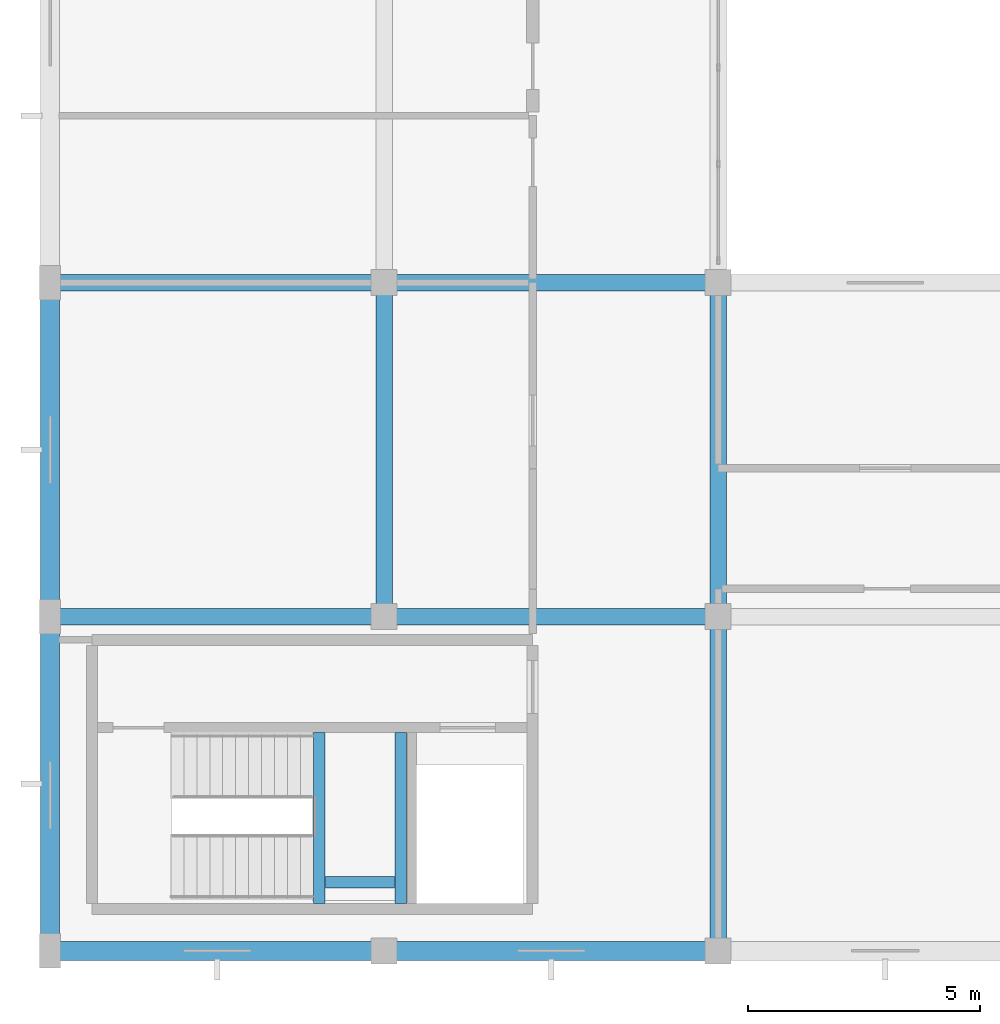
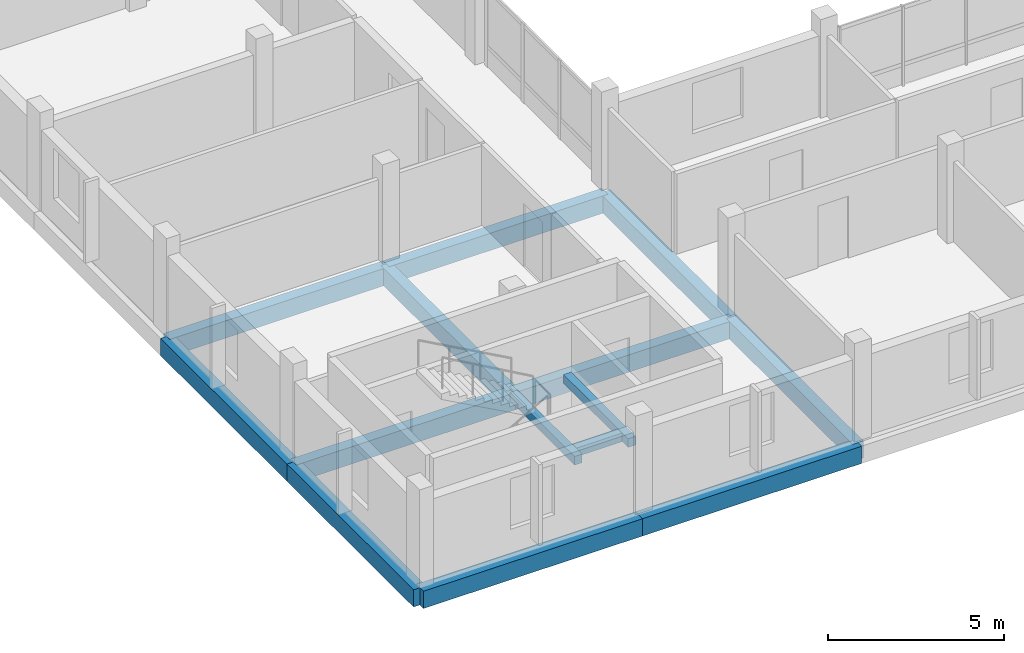
# One storey, part 3 of 66: 14 beams.
"""IFC4 building model written with IfcOpenShell, lengths in metres."""

from ifc_helpers import new_model, si_unit, direction, frame, origin, origin_2d, place, context, subcontext, project, spatial, rectangle, extrude, material, material_profile, profile_set, type_object, element, save


model = new_model("IFC4")

# Units and contexts
model_context = context("Model", 3, precision=1e-05, world=origin(), true_north=direction((0.0, 1.0)))
body_context = subcontext(model_context, "Body", "Model", "MODEL_VIEW")
ifc_project = project(units=[si_unit("LENGTHUNIT", "METRE"), si_unit("AREAUNIT", "SQUARE_METRE"), si_unit("VOLUMEUNIT", "CUBIC_METRE"), si_unit("PLANEANGLEUNIT", "RADIAN"), si_unit("MASSUNIT", "GRAM", prefix="KILO")], contexts=[model_context])

# Site, building, storey
site_placement = place(None, origin())
site = spatial("IfcSite", under=ifc_project, at=site_placement, CompositionType="ELEMENT")
building_placement = place(site_placement, origin())
building = spatial("IfcBuilding", under=site, at=building_placement, Name="Zornivar Specialist Clinic", CompositionType="ELEMENT")
storey_placement = place(building_placement, frame((0.0, 0.0, 16.0)))
storey = spatial("IfcBuildingStorey", under=building, at=storey_placement, Name="L04", CompositionType="ELEMENT", Elevation=16.0)

# Beams
ifc_material_1 = material(Name="Concrete C30/37", Category="concrete")
ifc_material_profile_1 = material_profile(ifc_material_1, rectangle(XDim=0.25, YDim=0.300048828125, at=origin_2d()), Name="RC 250x300")
ifc_profile_set_1 = profile_set([ifc_material_profile_1], Name="Concrete C30/37")
beam_type_1 = type_object("IfcBeamType", Name="BM-LAND-250x300", PredefinedType="BEAM", material=ifc_profile_set_1)
for number, where, z_axis, x_axis, name in (
    (1, (5.800048828125, 1.02001953125, 1.52001953125), (0.0, 1.0, 0.0), (-1.0, 0.0, 0.0), "bm:stair:C1:L04:lW"),
    (2, (7.56005859375, 1.02001953125, 1.52001953125), (0.0, 1.0, 0.0), (-1.0, 0.0, 0.0), "bm:stair:C1:L04:lE"),
):
    element("IfcBeam", number, at=place(storey_placement, frame(where, z_axis=z_axis, x_axis=x_axis)), inside=storey, type_object=beam_type_1, Name=name, PredefinedType="BEAM", context=body_context, shape_type="SweptSolid", body=[
        extrude(rectangle(XDim=0.25, YDim=0.300048828125, at=origin_2d()), origin(), (0.0, 0.0, 1.0), 3.679931640625),
    ])
beam_placement = place(storey_placement, frame((5.93505859375, 1.47998046875, 1.52001953125), z_axis=(1.0, 0.0, 0.0), x_axis=(0.0, 1.0, 0.0)))
element("IfcBeam", 3, at=beam_placement, inside=storey, type_object=beam_type_1, Name="bm:stair:C1:L04:lS", PredefinedType="BEAM", context=body_context, shape_type="SweptSolid", body=[
    extrude(rectangle(XDim=0.25, YDim=0.300048828125, at=origin_2d()), origin(), (0.0, 0.0, 1.0), 1.489990234375),
])
ifc_material_2 = material(Name="Concrete C30/37", Category="concrete")
ifc_material_profile_2 = material_profile(ifc_material_2, rectangle(XDim=0.35009765625, YDim=0.60009765625, at=origin_2d()), Name="RC 350x600")
ifc_profile_set_2 = profile_set([ifc_material_profile_2], Name="Concrete C30/37")
beam_type_2 = type_object("IfcBeamType", Name="BM-RC-350x600", PredefinedType="BEAM", material=ifc_profile_set_2)
for number, where, z_axis, x_axis, name in (
    (4, (0.0, 7.199951171875, -0.580078125), (1.0, 0.0, 0.0), (0.0, 1.0, 0.0), "bm:V2:L04:x:72:0"),
    (5, (7.199951171875, 7.199951171875, -0.580078125), (1.0, 0.0, 0.0), (0.0, 1.0, 0.0), "bm:V2:L04:x:72:1"),
    (6, (0.0, 14.39990234375, -0.580078125), (1.0, 0.0, 0.0), (0.0, 1.0, 0.0), "bm:V2:L04:x:144:0"),
    (7, (7.199951171875, 14.39990234375, -0.580078125), (1.0, 0.0, 0.0), (0.0, 1.0, 0.0), "bm:V2:L04:x:144:1"),
    (8, (7.199951171875, 7.199951171875, -0.580078125), (0.0, 1.0, 0.0), (-1.0, 0.0, 0.0), "bm:V2:L04:y:72:1"),
    (9, (14.39990234375, 0.0, -0.580078125), (0.0, 1.0, 0.0), (-1.0, 0.0, 0.0), "bm:V2:L04:y:144:0"),
    (10, (14.39990234375, 7.199951171875, -0.580078125), (0.0, 1.0, 0.0), (-1.0, 0.0, 0.0), "bm:V2:L04:y:144:1"),
):
    element("IfcBeam", number, at=place(storey_placement, frame(where, z_axis=z_axis, x_axis=x_axis)), inside=storey, type_object=beam_type_2, Name=name, PredefinedType="BEAM", context=body_context, shape_type="SweptSolid", body=[
        extrude(rectangle(XDim=0.35009765625, YDim=0.60009765625, at=origin_2d()), origin(), (0.0, 0.0, 1.0), 7.199951171875),
    ])
ifc_material_3 = material(Name="Concrete C30/37", Category="concrete")
ifc_material_profile_3 = material_profile(ifc_material_3, rectangle(XDim=0.409912109375, YDim=0.60009765625, at=origin_2d()), Name="RC 410x600")
ifc_profile_set_3 = profile_set([ifc_material_profile_3], Name="Concrete C30/37")
beam_type_3 = type_object("IfcBeamType", Name="BM-RC-SPANDREL-410x600", PredefinedType="SPANDREL", material=ifc_profile_set_3)
for number, where, z_axis, x_axis, name in (
    (11, (0.0, 0.0, -0.580078125), (1.0, 0.0, 0.0), (0.0, 1.0, 0.0), "bm:V2:L04:x:0:0"),
    (12, (7.199951171875, 0.0, -0.580078125), (1.0, 0.0, 0.0), (0.0, 1.0, 0.0), "bm:V2:L04:x:0:1"),
    (13, (0.0, 0.0, -0.580078125), (0.0, 1.0, 0.0), (-1.0, 0.0, 0.0), "bm:V2:L04:y:0:0"),
    (14, (0.0, 7.199951171875, -0.580078125), (0.0, 1.0, 0.0), (-1.0, 0.0, 0.0), "bm:V2:L04:y:0:1"),
):
    element("IfcBeam", number, at=place(storey_placement, frame(where, z_axis=z_axis, x_axis=x_axis)), inside=storey, type_object=beam_type_3, Name=name, PredefinedType="SPANDREL", context=body_context, shape_type="SweptSolid", body=[
        extrude(rectangle(XDim=0.409912109375, YDim=0.60009765625, at=origin_2d()), origin(), (0.0, 0.0, 1.0), 7.199951171875),
    ])

save(model, "model.ifc")
